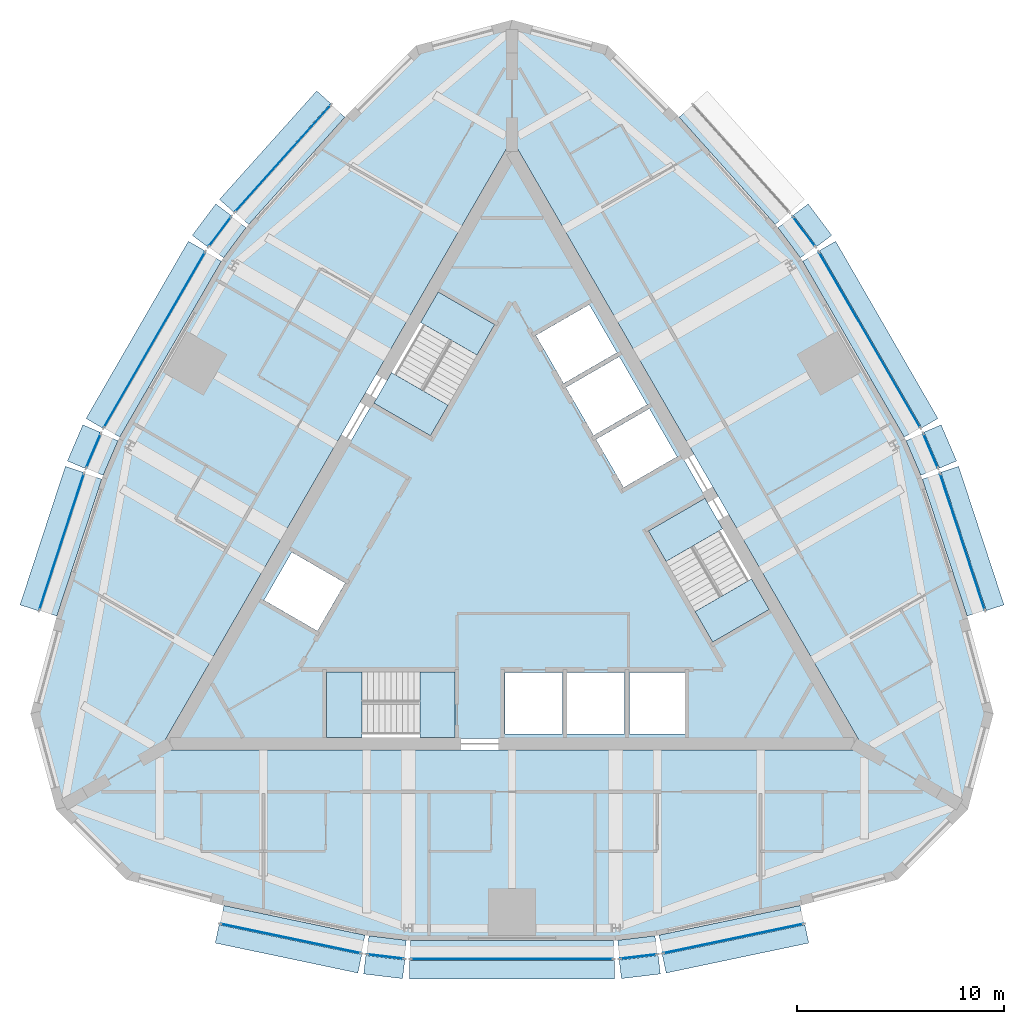
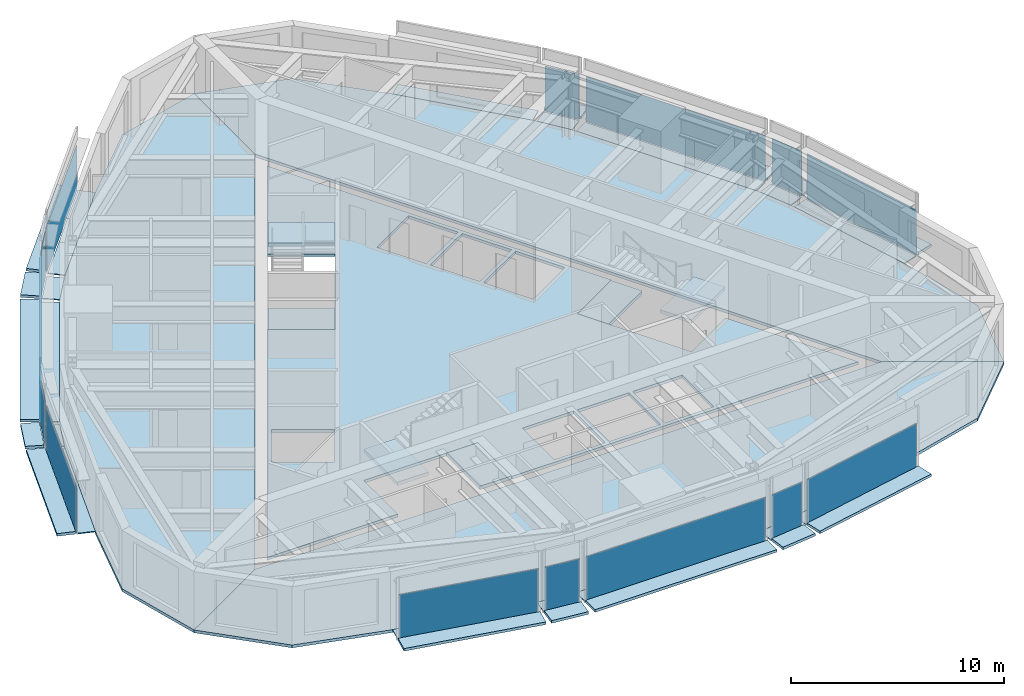
# One storey, part 6 of 12: 43 plates, 10 slabs, 17 elements without a shape of their own.
"""IFC4 building model written with IfcOpenShell, lengths in metres."""

from ifc_helpers import new_model, si_unit, direction, frame, origin, origin_2d, place, context, subcontext, project, spatial, polyline, rectangle, outline, extrude, material, layer, layer_set, type_object, element, aggregate, save


model = new_model("IFC4")

# Units and contexts
model_context = context("Model", 3, precision=1e-05, world=origin(), true_north=direction((0.0, 1.0)))
body_context = subcontext(model_context, "Body", "Model", "MODEL_VIEW")
ifc_project = project(units=[si_unit("LENGTHUNIT", "METRE"), si_unit("AREAUNIT", "SQUARE_METRE"), si_unit("VOLUMEUNIT", "CUBIC_METRE"), si_unit("PLANEANGLEUNIT", "RADIAN"), si_unit("MASSUNIT", "GRAM", prefix="KILO")], contexts=[model_context])

# Site, building, storey
site_placement = place(None, origin())
site = spatial("IfcSite", under=ifc_project, at=site_placement, CompositionType="ELEMENT")
building_placement = place(site_placement, origin())
building = spatial("IfcBuilding", under=site, at=building_placement, Name="Trikona Tower", CompositionType="ELEMENT")
storey_placement = place(building_placement, frame((0.0, 0.0, 271.699951171875)))
storey = spatial("IfcBuildingStorey", under=building, at=storey_placement, Name="L72", CompositionType="ELEMENT", Elevation=271.699951171875)

# Plates
ifc_material_1 = material(Name="Aluminium bar grating", Category="aluminium")
ifc_layer_1 = layer(ifc_material_1, 0.050048828125)
ifc_layer_set_1 = layer_set([ifc_layer_1], Name="Cavity catwalk grating")
plate_type_1 = type_object("IfcPlateType", Name="Cavity catwalk grating", PredefinedType="USERDEFINED", material=ifc_layer_set_1)
plate_1_placement = place(storey_placement, frame((-10.586181640625, -18.466552734375, -0.0498046875), z_axis=(0.0, 0.0, 1.0), x_axis=(0.97865342171, -0.205517590916, 0.0)))
element("IfcPlate", 1, at=plate_1_placement, inside=storey, type_object=plate_type_1, Name="Cavity catwalk L72-00", ObjectType="CATWALK GRATING", PredefinedType="USERDEFINED", context=body_context, shape_type="SweptSolid", body=[
    extrude(rectangle(XDim=6.95263671875, YDim=0.840087890625, at=origin_2d()), origin(), (0.0, 0.0, 1.0), 0.050048828125),
])
plate_2_placement = place(storey_placement, frame((-6.050048828125, -19.327392578125, -0.0498046875), z_axis=(0.0, 0.0, 1.0), x_axis=(0.992876783199, -0.11914568135, 0.0)))
element("IfcPlate", 2, at=plate_2_placement, inside=storey, type_object=plate_type_1, Name="Cavity catwalk L72-01", ObjectType="CATWALK GRATING", PredefinedType="USERDEFINED", context=body_context, shape_type="SweptSolid", body=[
    extrude(rectangle(XDim=1.814208984375, YDim=0.840087890625, at=origin_2d()), origin(), (0.0, 0.0, 1.0), 0.050048828125),
])
plate_3_placement = place(storey_placement, frame((0.0, -19.450439453125, -0.0498046875), z_axis=(0.0, 0.0, 1.0), x_axis=(1.0, 0.0, 0.0)))
element("IfcPlate", 3, at=plate_3_placement, inside=storey, type_object=plate_type_1, Name="Cavity catwalk L72-02", ObjectType="CATWALK GRATING", PredefinedType="USERDEFINED", context=body_context, shape_type="SweptSolid", body=[
    extrude(rectangle(XDim=9.800048828125, YDim=0.840087890625, at=origin_2d()), origin(), (0.0, 0.0, 1.0), 0.050048828125),
])
plate_4_placement = place(storey_placement, frame((6.050048828125, -19.327392578125, -0.0498046875), z_axis=(0.0, 0.0, 1.0), x_axis=(0.992876783199, 0.11914568135, 0.0)))
element("IfcPlate", 4, at=plate_4_placement, inside=storey, type_object=plate_type_1, Name="Cavity catwalk L72-03", ObjectType="CATWALK GRATING", PredefinedType="USERDEFINED", context=body_context, shape_type="SweptSolid", body=[
    extrude(rectangle(XDim=1.814208984375, YDim=0.840087890625, at=origin_2d()), origin(), (0.0, 0.0, 1.0), 0.050048828125),
])
for number, where, z_axis, x_axis, name in (
    (5, (10.586181640625, -18.466552734375, -0.0498046875), (0.0, 0.0, 1.0), (0.97865342171, 0.205517590916, 0.0), "Cavity catwalk L72-04"),
    (6, (21.28564453125, 0.065185546875, -0.0498046875), (0.0, 0.0, 1.0), (-0.311336621861, 0.950299693722, 0.0), "Cavity catwalk L72-09"),
):
    element("IfcPlate", number, at=place(storey_placement, frame(where, z_axis=z_axis, x_axis=x_axis)), inside=storey, type_object=plate_type_1, Name=name, ObjectType="CATWALK GRATING", PredefinedType="USERDEFINED", context=body_context, shape_type="SweptSolid", body=[
        extrude(rectangle(XDim=6.95263671875, YDim=0.840087890625, at=origin_2d()), origin(), (0.0, 0.0, 1.0), 0.050048828125),
    ])
plate_5_placement = place(storey_placement, frame((19.76318359375, 4.42431640625, -0.0498046875), z_axis=(0.0, 0.0, 1.0), x_axis=(-0.39328408933, 0.919417002823, 0.0)))
element("IfcPlate", 7, at=plate_5_placement, inside=storey, type_object=plate_type_1, Name="Cavity catwalk L72-10", ObjectType="CATWALK GRATING", PredefinedType="USERDEFINED", context=body_context, shape_type="SweptSolid", body=[
    extrude(rectangle(XDim=1.814208984375, YDim=0.840087890625, at=origin_2d()), origin(), (0.0, 0.0, 1.0), 0.050048828125),
])
plate_6_placement = place(storey_placement, frame((16.844482421875, 9.72509765625, -0.0498046875), z_axis=(0.0, 0.0, 1.0), x_axis=(-0.4999984885, 0.866026276448, 0.0)))
element("IfcPlate", 8, at=plate_6_placement, inside=storey, type_object=plate_type_1, Name="Cavity catwalk L72-11", ObjectType="CATWALK GRATING", PredefinedType="USERDEFINED", context=body_context, shape_type="SweptSolid", body=[
    extrude(rectangle(XDim=9.800048828125, YDim=0.840087890625, at=origin_2d()), origin(), (0.0, 0.0, 1.0), 0.050048828125),
])
plate_7_placement = place(storey_placement, frame((13.713134765625, 14.9033203125, -0.0498046875), z_axis=(0.0, 0.0, 1.0), x_axis=(-0.599618784879, 0.800285769472, 0.0)))
element("IfcPlate", 9, at=plate_7_placement, inside=storey, type_object=plate_type_1, Name="Cavity catwalk L72-12", ObjectType="CATWALK GRATING", PredefinedType="USERDEFINED", context=body_context, shape_type="SweptSolid", body=[
    extrude(rectangle(XDim=1.814208984375, YDim=0.840087890625, at=origin_2d()), origin(), (0.0, 0.0, 1.0), 0.050048828125),
])
for number, where, z_axis, x_axis, name in (
    (10, (10.699462890625, 18.4013671875, -0.0498046875), (0.0, 0.0, 1.0), (-0.667311465398, 0.744778764566, 0.0), "Cavity catwalk L72-13"),
    (11, (-10.699462890625, 18.4013671875, -0.0498046875), (0.0, 0.0, 1.0), (-0.667311465398, -0.744778764566, 0.0), "Cavity catwalk L72-18"),
):
    element("IfcPlate", number, at=place(storey_placement, frame(where, z_axis=z_axis, x_axis=x_axis)), inside=storey, type_object=plate_type_1, Name=name, ObjectType="CATWALK GRATING", PredefinedType="USERDEFINED", context=body_context, shape_type="SweptSolid", body=[
        extrude(rectangle(XDim=6.95263671875, YDim=0.840087890625, at=origin_2d()), origin(), (0.0, 0.0, 1.0), 0.050048828125),
    ])
plate_8_placement = place(storey_placement, frame((-13.713134765625, 14.9033203125, -0.0498046875), z_axis=(0.0, 0.0, 1.0), x_axis=(-0.599618784879, -0.800285769472, 0.0)))
element("IfcPlate", 12, at=plate_8_placement, inside=storey, type_object=plate_type_1, Name="Cavity catwalk L72-19", ObjectType="CATWALK GRATING", PredefinedType="USERDEFINED", context=body_context, shape_type="SweptSolid", body=[
    extrude(rectangle(XDim=1.814208984375, YDim=0.840087890625, at=origin_2d()), origin(), (0.0, 0.0, 1.0), 0.050048828125),
])
plate_9_placement = place(storey_placement, frame((-16.844482421875, 9.72509765625, -0.0498046875), z_axis=(0.0, 0.0, 1.0), x_axis=(-0.4999984885, -0.866026276448, 0.0)))
element("IfcPlate", 13, at=plate_9_placement, inside=storey, type_object=plate_type_1, Name="Cavity catwalk L72-20", ObjectType="CATWALK GRATING", PredefinedType="USERDEFINED", context=body_context, shape_type="SweptSolid", body=[
    extrude(rectangle(XDim=9.800048828125, YDim=0.840087890625, at=origin_2d()), origin(), (0.0, 0.0, 1.0), 0.050048828125),
])
plate_10_placement = place(storey_placement, frame((-19.76318359375, 4.42431640625, -0.0498046875), z_axis=(0.0, 0.0, 1.0), x_axis=(-0.39328408933, -0.919417002823, 0.0)))
element("IfcPlate", 14, at=plate_10_placement, inside=storey, type_object=plate_type_1, Name="Cavity catwalk L72-21", ObjectType="CATWALK GRATING", PredefinedType="USERDEFINED", context=body_context, shape_type="SweptSolid", body=[
    extrude(rectangle(XDim=1.814208984375, YDim=0.840087890625, at=origin_2d()), origin(), (0.0, 0.0, 1.0), 0.050048828125),
])
plate_11_placement = place(storey_placement, frame((-21.28564453125, 0.065185546875, -0.0498046875), z_axis=(0.0, 0.0, 1.0), x_axis=(-0.311336621861, -0.950299693722, 0.0)))
element("IfcPlate", 15, at=plate_11_placement, inside=storey, type_object=plate_type_1, Name="Cavity catwalk L72-22", ObjectType="CATWALK GRATING", PredefinedType="USERDEFINED", context=body_context, shape_type="SweptSolid", body=[
    extrude(rectangle(XDim=6.95263671875, YDim=0.840087890625, at=origin_2d()), origin(), (0.0, 0.0, 1.0), 0.050048828125),
])

# Slabs
ifc_material_2 = material(Name="Concrete f'c 5000 psi lightweight on composite steel deck", Category="concrete")
ifc_layer_2 = layer(ifc_material_2, 0.1650390625)
ifc_layer_set_2 = layer_set([ifc_layer_2], Name="Composite floor slab 165")
slab_type_1 = type_object("IfcSlabType", Name="Composite floor slab 165", PredefinedType="FLOOR", material=ifc_layer_set_2)
slab_1_placement = place(storey_placement, frame((0.0, 0.0, -0.1650390625)))
element("IfcSlab", 16, at=slab_1_placement, inside=storey, type_object=slab_type_1, Name="Floor slab L72 core", PredefinedType="FLOOR", context=body_context, shape_type="SweptSolid", body=[
    extrude(outline(polyline([(-16.06689453125, -9.2763671875), (-8.949951171875, -9.2763671875), (-8.949951171875, -6.076416015625), (-2.75, -6.076416015625), (-2.75, -9.2763671875), (16.06689453125, -9.2763671875), (12.45849609375, -3.026123046875), (9.687255859375, -4.626220703125), (6.587158203125, 0.7431640625), (9.3583984375, 2.34326171875), (0.0, 18.552490234375), (-3.6083984375, 12.302490234375), (-0.837158203125, 10.702392578125), (-3.937255859375, 5.3330078125), (-6.70849609375, 6.93310546875), (-16.06689453125, -9.2763671875)]), holes=[polyline([(5.659912109375, -6.086181640625), (5.659912109375, -9.06640625), (8.340087890625, -9.06640625), (8.340087890625, -6.086181640625), (5.659912109375, -6.086181640625)]), polyline([(6.631591796875, 6.646240234375), (4.05078125, 5.15625), (5.390869140625, 2.835205078125), (7.9716796875, 4.3251953125), (6.631591796875, 6.646240234375)]), polyline([(6.521484375, 6.8369140625), (5.181640625, 9.15771484375), (2.600830078125, 7.667724609375), (3.94091796875, 5.3466796875), (6.521484375, 6.8369140625)]), polyline([(2.659912109375, -9.06640625), (5.43994140625, -9.06640625), (5.43994140625, -6.086181640625), (2.659912109375, -6.086181640625), (2.659912109375, -9.06640625)]), polyline([(2.490966796875, 7.858154296875), (5.071533203125, 9.34814453125), (3.731689453125, 11.669189453125), (1.15087890625, 10.17919921875), (2.490966796875, 7.858154296875)]), polyline([(2.43994140625, -9.06640625), (2.43994140625, -6.086181640625), (-0.340087890625, -6.086181640625), (-0.340087890625, -9.06640625), (2.43994140625, -9.06640625)]), polyline([(-11.9716796875, -2.602783203125), (-9.390869140625, -4.093017578125), (-8.05078125, -1.77197265625), (-10.631591796875, -0.281982421875), (-11.9716796875, -2.602783203125)])]), origin(), (0.0, 0.0, 1.0), 0.1650390625),
])
slab_2_placement = place(storey_placement, frame((0.0, 0.0, -0.1650390625)))
element("IfcSlab", 17, at=slab_2_placement, inside=storey, type_object=slab_type_1, Name="Floor slab L72 south", PredefinedType="FLOOR", context=body_context, shape_type="SweptSolid", body=[
    extrude(outline(polyline([(18.618896484375, -16.0830078125), (22.0, -12.70166015625), (17.01953125, -9.826416015625), (-17.01953125, -9.826416015625), (-22.0, -12.70166015625), (-18.618896484375, -16.0830078125), (-14.0, -17.320556640625), (-7.0, -18.79052734375), (-5.0, -19.030517578125), (5.0, -19.030517578125), (7.0, -18.79052734375), (14.0, -17.320556640625), (18.618896484375, -16.0830078125)])), origin(), (0.0, 0.0, 1.0), 0.1650390625),
])
slab_3_placement = place(storey_placement, frame((0.0, 0.0, -0.1650390625)))
element("IfcSlab", 18, at=slab_3_placement, inside=storey, type_object=slab_type_1, Name="Floor slab L72 north-east", PredefinedType="FLOOR", context=body_context, shape_type="SweptSolid", body=[
    extrude(outline(polyline([(4.618896484375, 24.165771484375), (0.0, 25.4033203125), (0.0, 19.652587890625), (17.01953125, -9.826416015625), (22.0, -12.70166015625), (23.237548828125, -8.0830078125), (22.0, -3.464111328125), (19.773193359375, 3.3330078125), (18.98095703125, 5.18505859375), (13.98095703125, 13.845458984375), (12.773193359375, 15.45751953125), (8.0, 20.78466796875), (4.618896484375, 24.165771484375)])), origin(), (0.0, 0.0, 1.0), 0.1650390625),
])
slab_4_placement = place(storey_placement, frame((0.0, 0.0, -0.1650390625)))
element("IfcSlab", 19, at=slab_4_placement, inside=storey, type_object=slab_type_1, Name="Floor slab L72 north-west", PredefinedType="FLOOR", context=body_context, shape_type="SweptSolid", body=[
    extrude(outline(polyline([(0.0, 19.652587890625), (0.0, 25.4033203125), (-4.618896484375, 24.165771484375), (-8.0, 20.78466796875), (-12.773193359375, 15.45751953125), (-13.98095703125, 13.845458984375), (-18.98095703125, 5.18505859375), (-19.773193359375, 3.3330078125), (-22.0, -3.464111328125), (-23.237548828125, -8.0830078125), (-22.0, -12.70166015625), (-17.01953125, -9.826416015625), (0.0, 19.652587890625)])), origin(), (0.0, 0.0, 1.0), 0.1650390625),
])

# Curtain wall, plate
ifc_material_3 = material(Name="Aluminium curtain wall system", Category="aluminium")
curtain_wall_type = type_object("IfcCurtainWallType", Name="Curtain wall DS3S", PredefinedType="NOTDEFINED", material=ifc_material_3)
curtain_wall_1_placement = place(storey_placement, origin())
curtain_wall_1 = element("IfcCurtainWall", 20, at=curtain_wall_1_placement, inside=storey, type_object=curtain_wall_type, Name="Curtain wall DS3S L72", PredefinedType="NOTDEFINED")
ifc_material_4 = material(Name="Laminated clear glass", Category="glass")
ifc_layer_3 = layer(ifc_material_4, 0.028076171875)
ifc_layer_set_3 = layer_set([ifc_layer_3], Name="Glass panel DS3S")
plate_type_2 = type_object("IfcPlateType", Name="Glass panel DS3S", PredefinedType="CURTAIN_PANEL", material=ifc_layer_set_3)
plate_12_placement = place(storey_placement, frame((-10.68505859375, -18.936279296875, 0.0), z_axis=(0.0, 0.0, 1.0), x_axis=(0.978651351583, -0.205527448396, 0.0)))
plate_12 = element("IfcPlate", 21, at=plate_12_placement, type_object=plate_type_2, Name="CW-DS3S panel 1.1", PredefinedType="CURTAIN_PANEL", context=body_context, shape_type="SweptSolid", body=[
    extrude(rectangle(XDim=6.892578125, YDim=0.028076171875, at=origin_2d()), origin(), (0.0, 0.0, 1.0), 2.60009765625),
])
aggregate(curtain_wall_1, [plate_12])

curtain_wall_2_placement = place(storey_placement, origin())
curtain_wall_2 = element("IfcCurtainWall", 22, at=curtain_wall_2_placement, inside=storey, type_object=curtain_wall_type, Name="Curtain wall DS3S L72", PredefinedType="NOTDEFINED")
plate_13_placement = place(storey_placement, frame((-6.107177734375, -19.803955078125, 0.0), z_axis=(0.0, 0.0, 1.0), x_axis=(0.992877338043, -0.119141057581, 0.0)))
plate_13 = element("IfcPlate", 23, at=plate_13_placement, type_object=plate_type_2, Name="CW-DS3S panel 1.1", PredefinedType="CURTAIN_PANEL", context=body_context, shape_type="SweptSolid", body=[
    extrude(rectangle(XDim=1.75439453125, YDim=0.028076171875, at=origin_2d()), origin(), (0.0, 0.0, 1.0), 2.60009765625),
])
aggregate(curtain_wall_2, [plate_13])

curtain_wall_3_placement = place(storey_placement, origin())
curtain_wall_3 = element("IfcCurtainWall", 24, at=curtain_wall_3_placement, inside=storey, type_object=curtain_wall_type, Name="Curtain wall DS3S L72", PredefinedType="NOTDEFINED")
plate_14_placement = place(storey_placement, frame((0.0, -19.930419921875, 0.0), z_axis=(0.0, 0.0, 1.0), x_axis=(1.0, 0.0, 0.0)))
plate_14 = element("IfcPlate", 25, at=plate_14_placement, type_object=plate_type_2, Name="CW-DS3S panel 1.1", PredefinedType="CURTAIN_PANEL", context=body_context, shape_type="SweptSolid", body=[
    extrude(rectangle(XDim=9.739990234375, YDim=0.028076171875, at=origin_2d()), origin(), (0.0, 0.0, 1.0), 2.60009765625),
])
aggregate(curtain_wall_3, [plate_14])

curtain_wall_4_placement = place(storey_placement, origin())
curtain_wall_4 = element("IfcCurtainWall", 26, at=curtain_wall_4_placement, inside=storey, type_object=curtain_wall_type, Name="Curtain wall DS3S L72", PredefinedType="NOTDEFINED")
plate_15_placement = place(storey_placement, frame((6.107177734375, -19.803955078125, 0.0), z_axis=(0.0, 0.0, 1.0), x_axis=(0.992877338043, 0.119141057581, 0.0)))
plate_15 = element("IfcPlate", 27, at=plate_15_placement, type_object=plate_type_2, Name="CW-DS3S panel 1.1", PredefinedType="CURTAIN_PANEL", context=body_context, shape_type="SweptSolid", body=[
    extrude(rectangle(XDim=1.75439453125, YDim=0.028076171875, at=origin_2d()), origin(), (0.0, 0.0, 1.0), 2.60009765625),
])
aggregate(curtain_wall_4, [plate_15])

curtain_wall_5_placement = place(storey_placement, origin())
curtain_wall_5 = element("IfcCurtainWall", 28, at=curtain_wall_5_placement, inside=storey, type_object=curtain_wall_type, Name="Curtain wall DS3S L72", PredefinedType="NOTDEFINED")
plate_16_placement = place(storey_placement, frame((10.68505859375, -18.936279296875, 0.0), z_axis=(0.0, 0.0, 1.0), x_axis=(0.978651351583, 0.205527448396, 0.0)))
plate_16 = element("IfcPlate", 29, at=plate_16_placement, type_object=plate_type_2, Name="CW-DS3S panel 1.1", PredefinedType="CURTAIN_PANEL", context=body_context, shape_type="SweptSolid", body=[
    extrude(rectangle(XDim=6.892578125, YDim=0.028076171875, at=origin_2d()), origin(), (0.0, 0.0, 1.0), 2.60009765625),
])
aggregate(curtain_wall_5, [plate_16])

curtain_wall_6_placement = place(storey_placement, origin())
curtain_wall_6 = element("IfcCurtainWall", 30, at=curtain_wall_6_placement, inside=storey, type_object=curtain_wall_type, Name="Curtain wall DS3S L72", PredefinedType="NOTDEFINED")
plate_17_placement = place(storey_placement, frame((21.74169921875, 0.214599609375, 0.0), z_axis=(0.0, 0.0, 1.0), x_axis=(-0.311343553515, 0.95029742275, 0.0)))
plate_17 = element("IfcPlate", 31, at=plate_17_placement, type_object=plate_type_2, Name="CW-DS3S panel 1.1", PredefinedType="CURTAIN_PANEL", context=body_context, shape_type="SweptSolid", body=[
    extrude(rectangle(XDim=6.892822265625, YDim=0.028076171875, at=origin_2d()), origin(), (0.0, 0.0, 1.0), 2.60009765625),
])
aggregate(curtain_wall_6, [plate_17])

curtain_wall_7_placement = place(storey_placement, origin())
curtain_wall_7 = element("IfcCurtainWall", 32, at=curtain_wall_7_placement, inside=storey, type_object=curtain_wall_type, Name="Curtain wall DS3S L72", PredefinedType="NOTDEFINED")
plate_18_placement = place(storey_placement, frame((20.20458984375, 4.613037109375, 0.0), z_axis=(0.0, 0.0, 1.0), x_axis=(-0.393275726143, 0.919420580163, 0.0)))
plate_18 = element("IfcPlate", 33, at=plate_18_placement, type_object=plate_type_2, Name="CW-DS3S panel 1.1", PredefinedType="CURTAIN_PANEL", context=body_context, shape_type="SweptSolid", body=[
    extrude(rectangle(XDim=1.75439453125, YDim=0.028076171875, at=origin_2d()), origin(), (0.0, 0.0, 1.0), 2.60009765625),
])
aggregate(curtain_wall_7, [plate_18])

curtain_wall_8_placement = place(storey_placement, origin())
curtain_wall_8 = element("IfcCurtainWall", 34, at=curtain_wall_8_placement, inside=storey, type_object=curtain_wall_type, Name="Curtain wall DS3S L72", PredefinedType="NOTDEFINED")
plate_19_placement = place(storey_placement, frame((17.26025390625, 9.96533203125, 0.0), z_axis=(0.0, 0.0, 1.0), x_axis=(-0.500001358187, 0.866024619633, 0.0)))
plate_19 = element("IfcPlate", 35, at=plate_19_placement, type_object=plate_type_2, Name="CW-DS3S panel 1.1", PredefinedType="CURTAIN_PANEL", context=body_context, shape_type="SweptSolid", body=[
    extrude(rectangle(XDim=9.739990234375, YDim=0.028076171875, at=origin_2d()), origin(), (0.0, 0.0, 1.0), 2.60009765625),
])
aggregate(curtain_wall_8, [plate_19])

curtain_wall_9_placement = place(storey_placement, origin())
curtain_wall_9 = element("IfcCurtainWall", 36, at=curtain_wall_9_placement, inside=storey, type_object=curtain_wall_type, Name="Curtain wall DS3S L72", PredefinedType="NOTDEFINED")
plate_20_placement = place(storey_placement, frame((14.09716796875, 15.191162109375, 0.0), z_axis=(0.0, 0.0, 1.0), x_axis=(-0.599653634435, 0.800259657055, 0.0)))
plate_20 = element("IfcPlate", 37, at=plate_20_placement, type_object=plate_type_2, Name="CW-DS3S panel 1.1", PredefinedType="CURTAIN_PANEL", context=body_context, shape_type="SweptSolid", body=[
    extrude(rectangle(XDim=1.754150390625, YDim=0.028076171875, at=origin_2d()), origin(), (0.0, 0.0, 1.0), 2.60009765625),
])
aggregate(curtain_wall_9, [plate_20])

curtain_wall_10_placement = place(storey_placement, origin())
curtain_wall_10 = element("IfcCurtainWall", 38, at=curtain_wall_10_placement, inside=storey, type_object=curtain_wall_type, Name="Curtain wall DS3S L72", PredefinedType="NOTDEFINED")
plate_21_placement = place(storey_placement, frame((-11.056884765625, 18.7216796875, 0.0), z_axis=(0.0, 0.0, 1.0), x_axis=(-0.667319643748, -0.744771436797, 0.0)))
plate_21 = element("IfcPlate", 39, at=plate_21_placement, type_object=plate_type_2, Name="CW-DS3S panel 1.1", PredefinedType="CURTAIN_PANEL", context=body_context, shape_type="SweptSolid", body=[
    extrude(rectangle(XDim=6.892822265625, YDim=0.028076171875, at=origin_2d()), origin(), (0.0, 0.0, 1.0), 2.60009765625),
])
aggregate(curtain_wall_10, [plate_21])

curtain_wall_11_placement = place(storey_placement, origin())
curtain_wall_11 = element("IfcCurtainWall", 40, at=curtain_wall_11_placement, inside=storey, type_object=curtain_wall_type, Name="Curtain wall DS3S L72", PredefinedType="NOTDEFINED")
plate_22_placement = place(storey_placement, frame((-14.09716796875, 15.191162109375, 0.0), z_axis=(0.0, 0.0, 1.0), x_axis=(-0.599653634435, -0.800259657055, 0.0)))
plate_22 = element("IfcPlate", 41, at=plate_22_placement, type_object=plate_type_2, Name="CW-DS3S panel 1.1", PredefinedType="CURTAIN_PANEL", context=body_context, shape_type="SweptSolid", body=[
    extrude(rectangle(XDim=1.754150390625, YDim=0.028076171875, at=origin_2d()), origin(), (0.0, 0.0, 1.0), 2.60009765625),
])
aggregate(curtain_wall_11, [plate_22])

curtain_wall_12_placement = place(storey_placement, origin())
curtain_wall_12 = element("IfcCurtainWall", 42, at=curtain_wall_12_placement, inside=storey, type_object=curtain_wall_type, Name="Curtain wall DS3S L72", PredefinedType="NOTDEFINED")
plate_23_placement = place(storey_placement, frame((-17.26025390625, 9.96533203125, 0.0), z_axis=(0.0, 0.0, 1.0), x_axis=(-0.500001358187, -0.866024619633, 0.0)))
plate_23 = element("IfcPlate", 43, at=plate_23_placement, type_object=plate_type_2, Name="CW-DS3S panel 1.1", PredefinedType="CURTAIN_PANEL", context=body_context, shape_type="SweptSolid", body=[
    extrude(rectangle(XDim=9.739990234375, YDim=0.028076171875, at=origin_2d()), origin(), (0.0, 0.0, 1.0), 2.60009765625),
])
aggregate(curtain_wall_12, [plate_23])

curtain_wall_13_placement = place(storey_placement, origin())
curtain_wall_13 = element("IfcCurtainWall", 44, at=curtain_wall_13_placement, inside=storey, type_object=curtain_wall_type, Name="Curtain wall DS3S L72", PredefinedType="NOTDEFINED")
plate_24_placement = place(storey_placement, frame((-20.20458984375, 4.613037109375, 0.0), z_axis=(0.0, 0.0, 1.0), x_axis=(-0.393275726143, -0.919420580163, 0.0)))
plate_24 = element("IfcPlate", 45, at=plate_24_placement, type_object=plate_type_2, Name="CW-DS3S panel 1.1", PredefinedType="CURTAIN_PANEL", context=body_context, shape_type="SweptSolid", body=[
    extrude(rectangle(XDim=1.75439453125, YDim=0.028076171875, at=origin_2d()), origin(), (0.0, 0.0, 1.0), 2.60009765625),
])
aggregate(curtain_wall_13, [plate_24])

curtain_wall_14_placement = place(storey_placement, origin())
curtain_wall_14 = element("IfcCurtainWall", 46, at=curtain_wall_14_placement, inside=storey, type_object=curtain_wall_type, Name="Curtain wall DS3S L72", PredefinedType="NOTDEFINED")
plate_25_placement = place(storey_placement, frame((-21.74169921875, 0.214599609375, 0.0), z_axis=(0.0, 0.0, 1.0), x_axis=(-0.311343553515, -0.95029742275, 0.0)))
plate_25 = element("IfcPlate", 47, at=plate_25_placement, type_object=plate_type_2, Name="CW-DS3S panel 1.1", PredefinedType="CURTAIN_PANEL", context=body_context, shape_type="SweptSolid", body=[
    extrude(rectangle(XDim=6.892822265625, YDim=0.028076171875, at=origin_2d()), origin(), (0.0, 0.0, 1.0), 2.60009765625),
])
aggregate(curtain_wall_14, [plate_25])

# Plates
ifc_material_5 = material(Name="Aluminium plate fin, pale anodised, on stainless steel outriggers", Category="steel")
ifc_layer_4 = layer(ifc_material_5, 0.14990234375)
ifc_layer_set_4 = layer_set([ifc_layer_4], Name="Outer skin fin 900")
plate_type_3 = type_object("IfcPlateType", Name="Outer skin fin 900", PredefinedType="USERDEFINED", material=ifc_layer_set_4)
plate_26_placement = place(storey_placement, frame((-10.789794921875, -19.435302734375, 0.0), z_axis=(0.0, 0.0, 1.0), x_axis=(0.97865342171, -0.205517590916, 0.0)))
element("IfcPlate", 48, at=plate_26_placement, inside=storey, type_object=plate_type_3, Name="Outer skin fin L72-00", ObjectType="FIN", PredefinedType="USERDEFINED", context=body_context, shape_type="SweptSolid", body=[
    extrude(rectangle(XDim=7.03271484375, YDim=0.89990234375, at=origin_2d()), origin(), (0.0, 0.0, 1.0), 0.14990234375),
])
plate_27_placement = place(storey_placement, frame((-6.16796875, -20.310546875, 0.0), z_axis=(0.0, 0.0, 1.0), x_axis=(0.992876783199, -0.11914568135, 0.0)))
element("IfcPlate", 49, at=plate_27_placement, inside=storey, type_object=plate_type_3, Name="Outer skin fin L72-01", ObjectType="FIN", PredefinedType="USERDEFINED", context=body_context, shape_type="SweptSolid", body=[
    extrude(rectangle(XDim=1.894287109375, YDim=0.89990234375, at=origin_2d()), origin(), (0.0, 0.0, 1.0), 0.14990234375),
])
plate_28_placement = place(storey_placement, frame((0.0, -20.4404296875, 0.0), z_axis=(0.0, 0.0, 1.0), x_axis=(1.0, 0.0, 0.0)))
element("IfcPlate", 50, at=plate_28_placement, inside=storey, type_object=plate_type_3, Name="Outer skin fin L72-02", ObjectType="FIN", PredefinedType="USERDEFINED", context=body_context, shape_type="SweptSolid", body=[
    extrude(rectangle(XDim=9.8798828125, YDim=0.89990234375, at=origin_2d()), origin(), (0.0, 0.0, 1.0), 0.14990234375),
])
plate_29_placement = place(storey_placement, frame((6.16796875, -20.310546875, 0.0), z_axis=(0.0, 0.0, 1.0), x_axis=(0.992876783199, 0.11914568135, 0.0)))
element("IfcPlate", 51, at=plate_29_placement, inside=storey, type_object=plate_type_3, Name="Outer skin fin L72-03", ObjectType="FIN", PredefinedType="USERDEFINED", context=body_context, shape_type="SweptSolid", body=[
    extrude(rectangle(XDim=1.894287109375, YDim=0.89990234375, at=origin_2d()), origin(), (0.0, 0.0, 1.0), 0.14990234375),
])
for number, where, z_axis, x_axis, name in (
    (52, (10.789794921875, -19.435302734375, 0.0), (0.0, 0.0, 1.0), (0.97865342171, 0.205517590916, 0.0), "Outer skin fin L72-04"),
    (53, (22.2265625, 0.37353515625, 0.0), (0.0, 0.0, 1.0), (-0.311336621861, 0.950299693722, 0.0), "Outer skin fin L72-09"),
):
    element("IfcPlate", number, at=place(storey_placement, frame(where, z_axis=z_axis, x_axis=x_axis)), inside=storey, type_object=plate_type_3, Name=name, ObjectType="FIN", PredefinedType="USERDEFINED", context=body_context, shape_type="SweptSolid", body=[
        extrude(rectangle(XDim=7.03271484375, YDim=0.89990234375, at=origin_2d()), origin(), (0.0, 0.0, 1.0), 0.14990234375),
    ])
plate_30_placement = place(storey_placement, frame((20.67333984375, 4.813720703125, 0.0), z_axis=(0.0, 0.0, 1.0), x_axis=(-0.39328408933, 0.919417002823, 0.0)))
element("IfcPlate", 54, at=plate_30_placement, inside=storey, type_object=plate_type_3, Name="Outer skin fin L72-10", ObjectType="FIN", PredefinedType="USERDEFINED", context=body_context, shape_type="SweptSolid", body=[
    extrude(rectangle(XDim=1.894287109375, YDim=0.89990234375, at=origin_2d()), origin(), (0.0, 0.0, 1.0), 0.14990234375),
])
plate_31_placement = place(storey_placement, frame((17.701904296875, 10.22021484375, 0.0), z_axis=(0.0, 0.0, 1.0), x_axis=(-0.4999984885, 0.866026276448, 0.0)))
element("IfcPlate", 55, at=plate_31_placement, inside=storey, type_object=plate_type_3, Name="Outer skin fin L72-11", ObjectType="FIN", PredefinedType="USERDEFINED", context=body_context, shape_type="SweptSolid", body=[
    extrude(rectangle(XDim=9.8798828125, YDim=0.89990234375, at=origin_2d()), origin(), (0.0, 0.0, 1.0), 0.14990234375),
])
plate_32_placement = place(storey_placement, frame((14.50537109375, 15.496826171875, 0.0), z_axis=(0.0, 0.0, 1.0), x_axis=(-0.599618784879, 0.800285769472, 0.0)))
element("IfcPlate", 56, at=plate_32_placement, inside=storey, type_object=plate_type_3, Name="Outer skin fin L72-12", ObjectType="FIN", PredefinedType="USERDEFINED", context=body_context, shape_type="SweptSolid", body=[
    extrude(rectangle(XDim=1.894287109375, YDim=0.89990234375, at=origin_2d()), origin(), (0.0, 0.0, 1.0), 0.14990234375),
])
plate_33_placement = place(storey_placement, frame((-11.436767578125, 19.06201171875, 0.0), z_axis=(0.0, 0.0, 1.0), x_axis=(-0.667311465398, -0.744778764566, 0.0)))
element("IfcPlate", 57, at=plate_33_placement, inside=storey, type_object=plate_type_3, Name="Outer skin fin L72-18", ObjectType="FIN", PredefinedType="USERDEFINED", context=body_context, shape_type="SweptSolid", body=[
    extrude(rectangle(XDim=7.03271484375, YDim=0.89990234375, at=origin_2d()), origin(), (0.0, 0.0, 1.0), 0.14990234375),
])
plate_34_placement = place(storey_placement, frame((-14.50537109375, 15.496826171875, 0.0), z_axis=(0.0, 0.0, 1.0), x_axis=(-0.599618784879, -0.800285769472, 0.0)))
element("IfcPlate", 58, at=plate_34_placement, inside=storey, type_object=plate_type_3, Name="Outer skin fin L72-19", ObjectType="FIN", PredefinedType="USERDEFINED", context=body_context, shape_type="SweptSolid", body=[
    extrude(rectangle(XDim=1.894287109375, YDim=0.89990234375, at=origin_2d()), origin(), (0.0, 0.0, 1.0), 0.14990234375),
])
plate_35_placement = place(storey_placement, frame((-17.701904296875, 10.22021484375, 0.0), z_axis=(0.0, 0.0, 1.0), x_axis=(-0.4999984885, -0.866026276448, 0.0)))
element("IfcPlate", 59, at=plate_35_placement, inside=storey, type_object=plate_type_3, Name="Outer skin fin L72-20", ObjectType="FIN", PredefinedType="USERDEFINED", context=body_context, shape_type="SweptSolid", body=[
    extrude(rectangle(XDim=9.8798828125, YDim=0.89990234375, at=origin_2d()), origin(), (0.0, 0.0, 1.0), 0.14990234375),
])
plate_36_placement = place(storey_placement, frame((-20.67333984375, 4.813720703125, 0.0), z_axis=(0.0, 0.0, 1.0), x_axis=(-0.39328408933, -0.919417002823, 0.0)))
element("IfcPlate", 60, at=plate_36_placement, inside=storey, type_object=plate_type_3, Name="Outer skin fin L72-21", ObjectType="FIN", PredefinedType="USERDEFINED", context=body_context, shape_type="SweptSolid", body=[
    extrude(rectangle(XDim=1.894287109375, YDim=0.89990234375, at=origin_2d()), origin(), (0.0, 0.0, 1.0), 0.14990234375),
])
plate_37_placement = place(storey_placement, frame((-22.2265625, 0.37353515625, 0.0), z_axis=(0.0, 0.0, 1.0), x_axis=(-0.311336621861, -0.950299693722, 0.0)))
element("IfcPlate", 61, at=plate_37_placement, inside=storey, type_object=plate_type_3, Name="Outer skin fin L72-22", ObjectType="FIN", PredefinedType="USERDEFINED", context=body_context, shape_type="SweptSolid", body=[
    extrude(rectangle(XDim=7.03271484375, YDim=0.89990234375, at=origin_2d()), origin(), (0.0, 0.0, 1.0), 0.14990234375),
])

# Stair, slabs
ifc_material_6 = material(Name="Concrete f'c 5000 psi", Category="concrete")
stair_type = type_object("IfcStairType", Name="Core stair", PredefinedType="HALF_TURN_STAIR", material=ifc_material_6)
stair_1_placement = place(storey_placement, origin())
stair_1 = element("IfcStair", 62, at=stair_1_placement, inside=storey, type_object=stair_type, Name="Stair A L72", PredefinedType="HALF_TURN_STAIR")
ifc_material_7 = material(Name="Concrete f'c 5000 psi", Category="concrete")
ifc_layer_5 = layer(ifc_material_7, 0.199951171875)
ifc_layer_set_5 = layer_set([ifc_layer_5], Name="Stair landing 200")
slab_type_2 = type_object("IfcSlabType", Name="Stair landing 200", PredefinedType="LANDING", material=ifc_layer_set_5)
slab_5_placement = place(storey_placement, frame((0.0, 0.0, -0.199951171875)))
slab_5 = element("IfcSlab", 63, at=slab_5_placement, type_object=slab_type_2, Name="ST-A landing 1", PredefinedType="LANDING", context=body_context, shape_type="SweptSolid", body=[
    extrude(outline(polyline([(-4.452880859375, -6.076416015625), (-2.75, -6.076416015625), (-2.75, -9.226318359375), (-4.452880859375, -9.226318359375), (-4.452880859375, -6.076416015625)])), origin(), (0.0, 0.0, 1.0), 0.199951171875),
])
slab_6_placement = place(storey_placement, frame((0.0, 0.0, 1.60009765625)))
slab_6 = element("IfcSlab", 64, at=slab_6_placement, type_object=slab_type_2, Name="ST-A landing 2", PredefinedType="LANDING", context=body_context, shape_type="SweptSolid", body=[
    extrude(outline(polyline([(-8.949951171875, -6.076416015625), (-7.2470703125, -6.076416015625), (-7.2470703125, -9.226318359375), (-8.949951171875, -9.226318359375), (-8.949951171875, -6.076416015625)])), origin(), (0.0, 0.0, 1.0), 0.199951171875),
])
aggregate(stair_1, [slab_5, slab_6])

stair_2_placement = place(storey_placement, origin())
stair_2 = element("IfcStair", 65, at=stair_2_placement, inside=storey, type_object=stair_type, Name="Stair B L72", PredefinedType="HALF_TURN_STAIR")
slab_7_placement = place(storey_placement, frame((0.0, 0.0, -0.199951171875)))
slab_7 = element("IfcSlab", 66, at=slab_7_placement, type_object=slab_type_2, Name="ST-B landing 1", PredefinedType="LANDING", context=body_context, shape_type="SweptSolid", body=[
    extrude(outline(polyline([(7.438720703125, -0.731689453125), (6.587158203125, 0.7431640625), (9.315185546875, 2.318115234375), (10.166748046875, 0.84326171875), (7.438720703125, -0.731689453125)])), origin(), (0.0, 0.0, 1.0), 0.199951171875),
])
slab_8_placement = place(storey_placement, frame((0.0, 0.0, 1.60009765625)))
slab_8 = element("IfcSlab", 67, at=slab_8_placement, type_object=slab_type_2, Name="ST-B landing 2", PredefinedType="LANDING", context=body_context, shape_type="SweptSolid", body=[
    extrude(outline(polyline([(9.687255859375, -4.626220703125), (8.835693359375, -3.1513671875), (11.563720703125, -1.576416015625), (12.415283203125, -3.05126953125), (9.687255859375, -4.626220703125)])), origin(), (0.0, 0.0, 1.0), 0.199951171875),
])
aggregate(stair_2, [slab_7, slab_8])

stair_3_placement = place(storey_placement, origin())
stair_3 = element("IfcStair", 68, at=stair_3_placement, inside=storey, type_object=stair_type, Name="Stair C L72", PredefinedType="HALF_TURN_STAIR")
slab_9_placement = place(storey_placement, frame((0.0, 0.0, -0.199951171875)))
slab_9 = element("IfcSlab", 69, at=slab_9_placement, type_object=slab_type_2, Name="ST-C landing 1", PredefinedType="LANDING", context=body_context, shape_type="SweptSolid", body=[
    extrude(outline(polyline([(-3.085693359375, 6.807861328125), (-3.937255859375, 5.3330078125), (-6.665283203125, 6.908203125), (-5.813720703125, 8.3828125), (-3.085693359375, 6.807861328125)])), origin(), (0.0, 0.0, 1.0), 0.199951171875),
])
slab_10_placement = place(storey_placement, frame((0.0, 0.0, 1.60009765625)))
slab_10 = element("IfcSlab", 70, at=slab_10_placement, type_object=slab_type_2, Name="ST-C landing 2", PredefinedType="LANDING", context=body_context, shape_type="SweptSolid", body=[
    extrude(outline(polyline([(-0.837158203125, 10.702392578125), (-1.688720703125, 9.2275390625), (-4.416748046875, 10.802490234375), (-3.565185546875, 12.277587890625), (-0.837158203125, 10.702392578125)])), origin(), (0.0, 0.0, 1.0), 0.199951171875),
])
aggregate(stair_3, [slab_9, slab_10])

save(model, "model.ifc")
